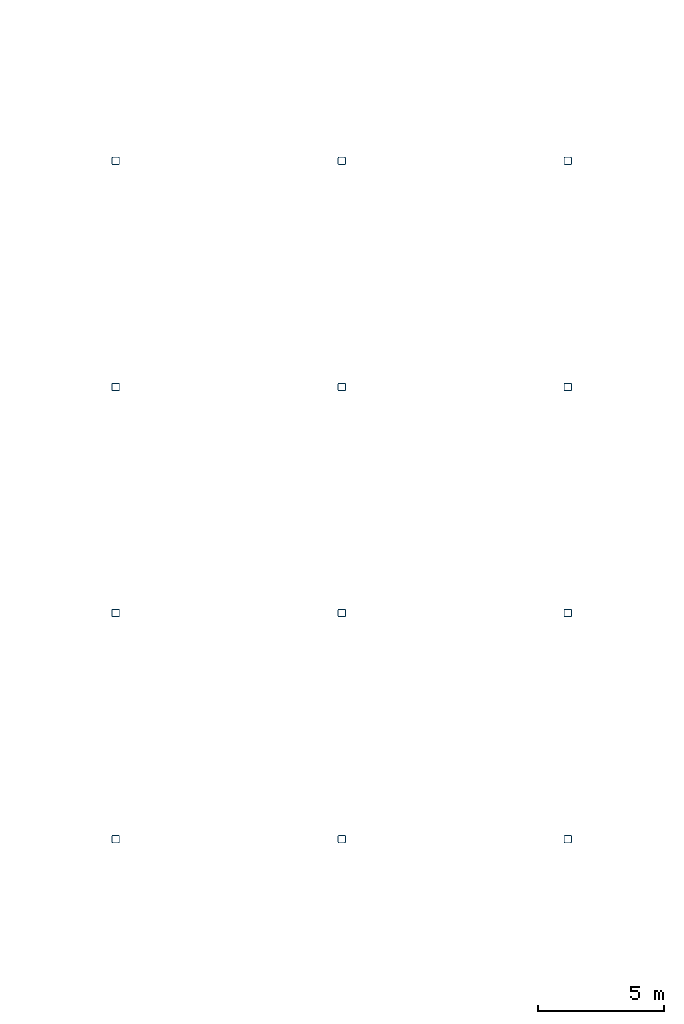
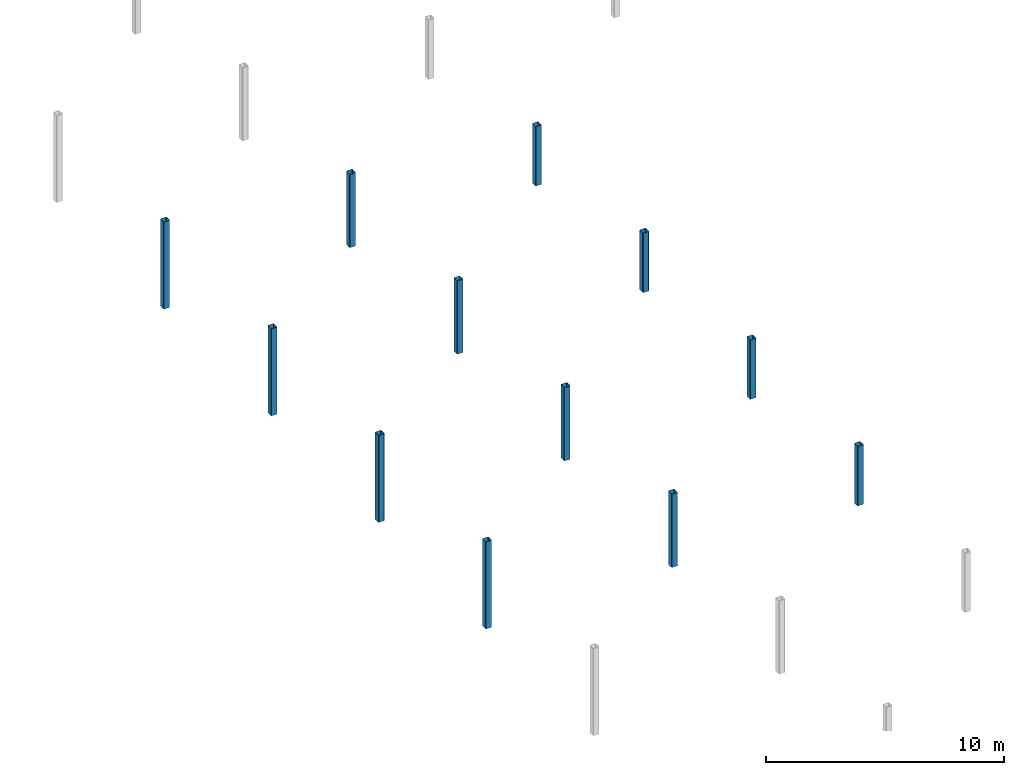
# One storey, part 6 of 15: 12 columns.
"""IFC4 building model written with IfcOpenShell, lengths in metres."""

from ifc_helpers import new_model, si_unit, direction, frame, origin, origin_2d, place, context, subcontext, project, spatial, hollow_rectangle, extrude, material, material_profile, profile_set, type_object, element, save


model = new_model("IFC4")

# Units and contexts
model_context = context("Model", 3, precision=1e-05, world=origin(), true_north=direction((0.0, 1.0)))
body_context = subcontext(model_context, "Body", "Model", "MODEL_VIEW")
ifc_project = project(units=[si_unit("LENGTHUNIT", "METRE"), si_unit("AREAUNIT", "SQUARE_METRE"), si_unit("VOLUMEUNIT", "CUBIC_METRE"), si_unit("PLANEANGLEUNIT", "RADIAN"), si_unit("MASSUNIT", "GRAM", prefix="KILO")], contexts=[model_context])

# Site, building, storey
site_placement = place(None, origin())
site = spatial("IfcSite", under=ifc_project, at=site_placement, CompositionType="ELEMENT")
building_placement = place(site_placement, origin())
building = spatial("IfcBuilding", under=site, at=building_placement, Name="Opaline Strait Convention Centre", CompositionType="ELEMENT")
storey_placement = place(building_placement, frame((0.0, 0.0, 20.10009765625)))
storey = spatial("IfcBuildingStorey", under=building, at=storey_placement, Name="Roof Restaurants and Business Centre", CompositionType="ELEMENT", Elevation=20.10009765625)

# Columns
ifc_material = material(Name="Steel Q355B", Category="steel")
ifc_material_profile = material_profile(ifc_material, hollow_rectangle(XDim=0.300048828125, YDim=0.300048828125, WallThickness=0.011962890625, InnerFilletRadius=0.02392578125, OuterFilletRadius=0.035888671875, at=origin_2d()), Name="RHS 300x300x12")
ifc_profile_set = profile_set([ifc_material_profile], Name="Steel Q355B")
column_type = type_object("IfcColumnType", Name="Roof post RHS 300x300x12", PredefinedType="COLUMN", material=ifc_profile_set)
for number, where, z_axis, x_axis, name in (
    (1, (279.0, 126.0, 0.0), (0.0, 0.0, 1.0), (1.0, 0.0, 0.0), "MRS1 roof post at 32/Q above Roof Restaurants and Business Centre"),
    (2, (279.0, 135.0, 0.0), (0.0, 0.0, 1.0), (1.0, 0.0, 0.0), "MRS1 roof post at 32/R above Roof Restaurants and Business Centre"),
    (3, (279.0, 144.0, 0.0), (0.0, 0.0, 1.0), (1.0, 0.0, 0.0), "MRS1 roof post at 32/S above Roof Restaurants and Business Centre"),
    (4, (279.0, 153.0, 0.0), (0.0, 0.0, 1.0), (1.0, 0.0, 0.0), "MRS1 roof post at 32/T above Roof Restaurants and Business Centre"),
):
    element("IfcColumn", number, at=place(storey_placement, frame(where, z_axis=z_axis, x_axis=x_axis)), inside=storey, type_object=column_type, Name=name, PredefinedType="COLUMN", context=body_context, shape_type="SweptSolid", body=[
        extrude(hollow_rectangle(XDim=0.300048828125, YDim=0.300048828125, WallThickness=0.011962890625, InnerFilletRadius=0.02392578125, OuterFilletRadius=0.035888671875, at=origin_2d()), origin(), (0.0, 0.0, 1.0), 4.453369140625),
    ])
for number, where, z_axis, x_axis, name in (
    (5, (288.0, 126.0, 0.0), (0.0, 0.0, 1.0), (1.0, 0.0, 0.0), "MRS1 roof post at 33/Q above Roof Restaurants and Business Centre"),
    (6, (288.0, 135.0, 0.0), (0.0, 0.0, 1.0), (1.0, 0.0, 0.0), "MRS1 roof post at 33/R above Roof Restaurants and Business Centre"),
    (7, (288.0, 144.0, 0.0), (0.0, 0.0, 1.0), (1.0, 0.0, 0.0), "MRS1 roof post at 33/S above Roof Restaurants and Business Centre"),
    (8, (288.0, 153.0, 0.0), (0.0, 0.0, 1.0), (1.0, 0.0, 0.0), "MRS1 roof post at 33/T above Roof Restaurants and Business Centre"),
):
    element("IfcColumn", number, at=place(storey_placement, frame(where, z_axis=z_axis, x_axis=x_axis)), inside=storey, type_object=column_type, Name=name, PredefinedType="COLUMN", context=body_context, shape_type="SweptSolid", body=[
        extrude(hollow_rectangle(XDim=0.300048828125, YDim=0.300048828125, WallThickness=0.011962890625, InnerFilletRadius=0.02392578125, OuterFilletRadius=0.035888671875, at=origin_2d()), origin(), (0.0, 0.0, 1.0), 3.7451171875),
    ])
for number, where, z_axis, x_axis, name in (
    (9, (297.0, 126.0, 0.0), (0.0, 0.0, 1.0), (1.0, 0.0, 0.0), "MRS1 roof post at 34/Q above Roof Restaurants and Business Centre"),
    (10, (297.0, 135.0, 0.0), (0.0, 0.0, 1.0), (1.0, 0.0, 0.0), "MRS1 roof post at 34/R above Roof Restaurants and Business Centre"),
    (11, (297.0, 144.0, 0.0), (0.0, 0.0, 1.0), (1.0, 0.0, 0.0), "MRS1 roof post at 34/S above Roof Restaurants and Business Centre"),
    (12, (297.0, 153.0, 0.0), (0.0, 0.0, 1.0), (1.0, 0.0, 0.0), "MRS1 roof post at 34/T above Roof Restaurants and Business Centre"),
):
    element("IfcColumn", number, at=place(storey_placement, frame(where, z_axis=z_axis, x_axis=x_axis)), inside=storey, type_object=column_type, Name=name, PredefinedType="COLUMN", context=body_context, shape_type="SweptSolid", body=[
        extrude(hollow_rectangle(XDim=0.300048828125, YDim=0.300048828125, WallThickness=0.011962890625, InnerFilletRadius=0.02392578125, OuterFilletRadius=0.035888671875, at=origin_2d()), origin(), (0.0, 0.0, 1.0), 3.036865234375),
    ])

save(model, "model.ifc")
